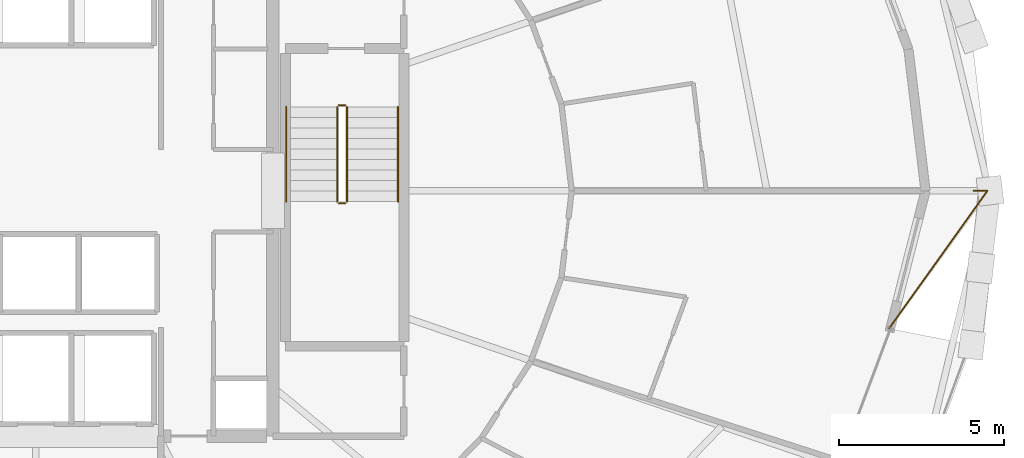
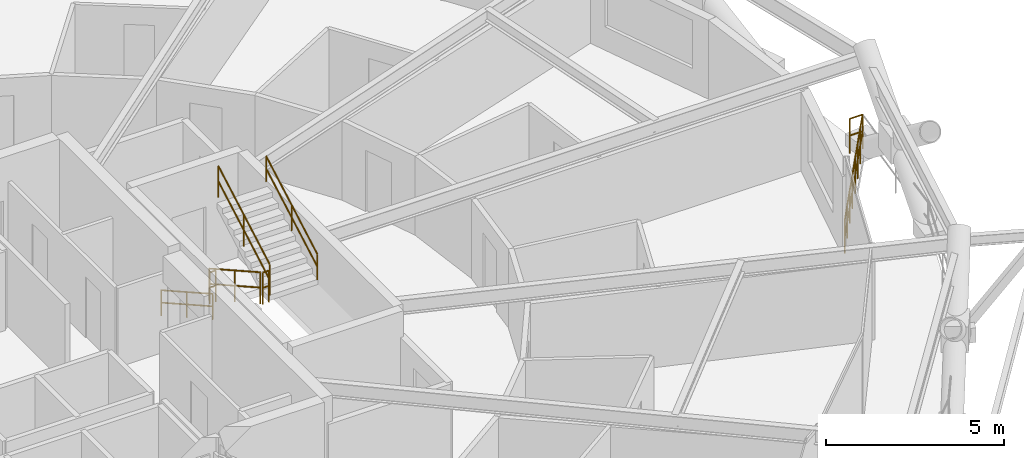
# One storey, part 20 of 20: 7 railings.
"""IFC4 building model written with IfcOpenShell, lengths in metres."""

import ifcopenshell
import ifcopenshell.guid

model = None  # the IFC model being written
_history = None  # IfcOwnerHistory: only IFC2X3 demands one
_inside = {}  # id of a spatial element -> (the spatial element, [elements in it])
_under = {}  # id of a project, library or spatial element -> (it, [spatial elements below it])
_declared = {}  # id of a project -> (the project, [libraries it declares])
_typed = {}  # id of a type object -> (the type object, [elements of that type])
_made_of = {}  # id of a material, layer set ... -> (it, [elements and type objects made of it])


def new_model(schema):
    """Start an empty IFC model of exactly this schema.

    Asked for "IFC4X3", IfcOpenShell would pick the latest addendum, in which some entities
    have other attributes; the version numbers below select the first issue.
    IFC2X3 requires an IfcOwnerHistory on every rooted entity: one is made here for all.
    """
    global model, _history
    if schema == "IFC4X3":
        model = ifcopenshell.file(schema_version=(4, 3, 0, 0))
    else:
        model = ifcopenshell.file(schema=schema)
    _inside.clear()
    _under.clear()
    _declared.clear()
    _typed.clear()
    _made_of.clear()
    _history = None
    if model.schema == "IFC2X3":
        org = make("IfcOrganization", Name="unknown")
        user = make(
            "IfcPersonAndOrganization",
            ThePerson=make("IfcPerson", FamilyName="unknown"),
            TheOrganization=org,
        )
        app = make(
            "IfcApplication",
            ApplicationDeveloper=org,
            Version="unknown",
            ApplicationFullName="unknown",
            ApplicationIdentifier="unknown",
        )
        _history = make(
            "IfcOwnerHistory",
            OwningUser=user,
            OwningApplication=app,
            ChangeAction="ADDED",
            CreationDate=0,
        )
    return model


def make(cls, **values):
    """One entity of the class cls with the attributes given. An attribute that is None is left unset."""
    return model.create_entity(
        cls, **{name: value for name, value in values.items() if value is not None}
    )


def rooted(cls, **values):
    """An entity with a GlobalId (a new one), such as an element, a storey or a relation."""
    return make(cls, GlobalId=ifcopenshell.guid.new(), OwnerHistory=_history, **values)


def si_unit(unit_type, name, prefix=None):
    """IfcSIUnit, for example si_unit("LENGTHUNIT", "METRE", prefix="MILLI")."""
    return make("IfcSIUnit", UnitType=unit_type, Prefix=prefix, Name=name)


def assignment(units):
    """IfcUnitAssignment: the units of a project."""
    return None if units is None else make("IfcUnitAssignment", Units=units)


def point(xyz):
    """IfcCartesianPoint."""
    return None if xyz is None else make("IfcCartesianPoint", Coordinates=xyz)


def direction(xyz):
    """IfcDirection."""
    return None if xyz is None else make("IfcDirection", DirectionRatios=xyz)


def frame(location, z_axis=None, x_axis=None):
    """IfcAxis2Placement3D, a coordinate frame: its origin and axes. An axis left out is left unset."""
    return make(
        "IfcAxis2Placement3D",
        Location=point(location),
        Axis=direction(z_axis),
        RefDirection=direction(x_axis),
    )


def frame_2d(location, x_axis=None):
    """IfcAxis2Placement2D, a coordinate frame in the plane: its origin and x axis."""
    return make(
        "IfcAxis2Placement2D", Location=point(location), RefDirection=direction(x_axis)
    )


def origin():
    """The frame at (0, 0, 0) with its axes left unset."""
    return frame((0.0, 0.0, 0.0))


def origin_2d():
    """The frame at (0, 0) in the plane with its x axis left unset."""
    return frame_2d((0.0, 0.0))


def place(relative_to, where):
    """IfcLocalPlacement: puts the frame where relative to a parent placement (None: the world)."""
    return make(
        "IfcLocalPlacement", PlacementRelTo=relative_to, RelativePlacement=where
    )


def context(
    kind, dimensions, precision=None, world=None, true_north=None, identifier=None
):
    """IfcGeometricRepresentationContext, for example the 3D "Model" context."""
    return make(
        "IfcGeometricRepresentationContext",
        ContextIdentifier=identifier,
        ContextType=kind,
        CoordinateSpaceDimension=dimensions,
        Precision=precision,
        WorldCoordinateSystem=world,
        TrueNorth=true_north,
    )


def subcontext(parent, identifier, kind, view, scale=None):
    """IfcGeometricRepresentationSubContext, for example "Body" below "Model"."""
    return make(
        "IfcGeometricRepresentationSubContext",
        ContextIdentifier=identifier,
        ContextType=kind,
        ParentContext=parent,
        TargetScale=scale,
        TargetView=view,
    )


def project(units=None, contexts=None):
    """IfcProject with its units and contexts."""
    return rooted(
        "IfcProject",
        Name="project",
        RepresentationContexts=contexts,
        UnitsInContext=assignment(units),
    )


def spatial(cls, under=None, at=None, **own):
    """A site, building, storey or space (cls), placed at a placement, below another one or the project."""
    s = rooted(cls, ObjectPlacement=at, **own)
    if under is not None:
        _under.setdefault(under.id(), (under, []))[1].append(s)
    return s


def profile(cls, at=None, kind="AREA", **sizes):
    """A parametric profile (cls). Its sizes go by their IFC names, for example OverallWidth=200.0."""
    return make(cls, ProfileType=kind, Position=at, **sizes)


def circle(**sizes):
    """IfcCircleProfileDef."""
    return profile("IfcCircleProfileDef", **sizes)


def extrude(swept, where, along, depth):
    """IfcExtrudedAreaSolid: the profile swept, set in the frame where, extruded along a direction by depth."""
    return make(
        "IfcExtrudedAreaSolid",
        SweptArea=swept,
        Position=where,
        ExtrudedDirection=direction(along),
        Depth=depth,
    )


def shape(context_of_items, identifier, shape_type, items):
    """IfcShapeRepresentation: the items that make up one representation, for example the "Body"."""
    return make(
        "IfcShapeRepresentation",
        ContextOfItems=context_of_items,
        RepresentationIdentifier=identifier,
        RepresentationType=shape_type,
        Items=items,
    )


def material(Name=None, Category=None):
    """IfcMaterial."""
    return make("IfcMaterial", Name=Name, Category=Category)


def made_of(thing, what):
    """Note that an element or type object is made of a material, layer set ...; save() writes the relation."""
    if what is not None:
        _made_of.setdefault(what.id(), (what, []))[1].append(thing)
    return thing


def type_object(cls, material=None, **own):
    """A type object (cls), such as IfcWallType, which elements share."""
    return made_of(rooted(cls, **own), material)


def element(
    cls,
    number,
    at=None,
    inside=None,
    cuts=None,
    type_object=None,
    material=None,
    context=None,
    identifier="Body",
    shape_type=None,
    held_by="IfcProductDefinitionShape",
    body=None,
    shapes=None,
    **own,
):
    """One element of the class cls, such as IfcWall. Its Tag is "e" and its number.

    at: its placement. inside: the storey or other place that contains it. cuts: it is an
    opening in that element (IfcRelVoidsElement). A single representation is given by context,
    identifier, shape_type and body (its items); several are given by shapes. held_by: the class
    of the entity that holds the representations. save() writes the other relations.
    """
    e = rooted(cls, Tag="e%d" % number, ObjectPlacement=at, **own)
    if body is not None:
        shapes = [shape(context, identifier, shape_type, body)]
    if shapes is not None:
        e.Representation = make(held_by, Representations=shapes)
    if inside is not None:
        _inside.setdefault(inside.id(), (inside, []))[1].append(e)
    if cuts is not None:
        rooted(
            "IfcRelVoidsElement", RelatingBuildingElement=cuts, RelatedOpeningElement=e
        )
    if type_object is not None:
        _typed.setdefault(type_object.id(), (type_object, []))[1].append(e)
    return made_of(e, material)


def aggregate(whole, parts):
    """IfcRelAggregates: a whole, such as a stair, and the parts it consists of."""
    return rooted("IfcRelAggregates", RelatingObject=whole, RelatedObjects=parts)


def save(model, path):
    """Write the relations noted so far, then the file.

    IfcRelAggregates (storeys below a building ...), IfcRelContainedInSpatialStructure (elements
    in a storey), IfcRelDefinesByType, IfcRelAssociatesMaterial and IfcRelDeclares: one each for
    every whole, place, type object, material and project.
    """
    for whole, parts in _under.values():
        aggregate(whole, parts)
    for where, things in _inside.values():
        rooted(
            "IfcRelContainedInSpatialStructure",
            RelatedElements=things,
            RelatingStructure=where,
        )
    for kind, things in _typed.values():
        rooted("IfcRelDefinesByType", RelatedObjects=things, RelatingType=kind)
    for what, things in _made_of.values():
        rooted("IfcRelAssociatesMaterial", RelatedObjects=things, RelatingMaterial=what)
    for by, libraries in _declared.values():
        rooted("IfcRelDeclares", RelatingContext=by, RelatedDefinitions=libraries)
    model.write(path)


model = new_model("IFC4")

# Units and contexts
model_context = context("Model", 3, precision=1e-05, world=origin(), true_north=direction((0.0, 1.0)))
body_context = subcontext(model_context, "Body", "Model", "MODEL_VIEW")
ifc_project = project(units=[si_unit("LENGTHUNIT", "METRE"), si_unit("AREAUNIT", "SQUARE_METRE"), si_unit("VOLUMEUNIT", "CUBIC_METRE"), si_unit("PLANEANGLEUNIT", "RADIAN"), si_unit("MASSUNIT", "GRAM", prefix="KILO")], contexts=[model_context])

# Site, building, storey
site_placement = place(None, origin())
site = spatial("IfcSite", under=ifc_project, at=site_placement, CompositionType="ELEMENT")
building_placement = place(site_placement, origin())
building = spatial("IfcBuilding", under=site, at=building_placement, Name="Veldorina Hangang Commons", CompositionType="ELEMENT")
storey_placement = place(building_placement, frame((0.0, 0.0, 84.39990234375)))
storey = spatial("IfcBuildingStorey", under=building, at=storey_placement, Name="L21", CompositionType="ELEMENT", Elevation=84.39990234375)

# Railings
ifc_material_1 = material(Name="Glass Laminated Safety Balustrade", Category="glass")
railing_type_1 = type_object("IfcRailingType", Name="RL-BAL-LOGGIA", PredefinedType="BALUSTRADE", material=ifc_material_1)
railing_1_placement = place(storey_placement, frame((60.47900390625, 24.0, 0.0)))
element("IfcRailing", 1, at=railing_1_placement, inside=storey, type_object=railing_type_1, Name="L21 sky-garden loggia end balustrade B", PredefinedType="BALUSTRADE", context=body_context, shape_type="SweptSolid", body=[
    extrude(circle(Radius=0.02392578125, at=origin_2d()), frame((0.0, 0.0, 1.17578125), z_axis=(1.0, 0.0, 0.0), x_axis=(0.0, 1.0, 0.0)), (0.0, 0.0, 1.0), 0.419921875),
    extrude(circle(Radius=0.02392578125, at=origin_2d()), frame((0.0, 0.0, 0.60009765625), z_axis=(1.0, 0.0, 0.0), x_axis=(0.0, 1.0, 0.0)), (0.0, 0.0, 1.0), 0.419921875),
    extrude(circle(Radius=0.02392578125, at=origin_2d()), frame((0.419921875, 0.0, 1.17578125), z_axis=(-0.581377493113, -0.813633953631, 0.0), x_axis=(0.813633953631, -0.581377493113, 0.0)), (0.0, 0.0, 1.0), 5.13916015625),
    extrude(circle(Radius=0.02392578125, at=origin_2d()), frame((0.419921875, 0.0, 0.60009765625), z_axis=(-0.581377493113, -0.813633953631, 0.0), x_axis=(0.813633953631, -0.581377493113, 0.0)), (0.0, 0.0, 1.0), 5.13916015625),
    extrude(circle(Radius=0.02099609375, at=origin_2d()), origin(), (0.0, 0.0, 1.0), 1.15185546875),
    extrude(circle(Radius=0.02099609375, at=origin_2d()), frame((0.419921875, 0.0, 0.0)), (0.0, 0.0, 1.0), 1.15185546875),
    extrude(circle(Radius=0.02099609375, at=origin_2d()), frame((-0.0068359375, -0.597412109375, 0.0)), (0.0, 0.0, 1.0), 1.15185546875),
    extrude(circle(Radius=0.02099609375, at=origin_2d()), frame((-0.433837890625, -1.194580078125, 0.0)), (0.0, 0.0, 1.0), 1.15185546875),
    extrude(circle(Radius=0.02099609375, at=origin_2d()), frame((-0.860595703125, -1.7919921875, 0.0)), (0.0, 0.0, 1.0), 1.15185546875),
    extrude(circle(Radius=0.02099609375, at=origin_2d()), frame((-1.287353515625, -2.389404296875, 0.0)), (0.0, 0.0, 1.0), 1.15185546875),
    extrude(circle(Radius=0.02099609375, at=origin_2d()), frame((-1.714111328125, -2.98681640625, 0.0)), (0.0, 0.0, 1.0), 1.15185546875),
    extrude(circle(Radius=0.02099609375, at=origin_2d()), frame((-2.14111328125, -3.583984375, 0.0)), (0.0, 0.0, 1.0), 1.15185546875),
    extrude(circle(Radius=0.02099609375, at=origin_2d()), frame((-2.56787109375, -4.181396484375, 0.0)), (0.0, 0.0, 1.0), 1.15185546875),
])
ifc_material_2 = material(Name="Steel Painted Balustrade", Category="steel")
railing_type_2 = type_object("IfcRailingType", Name="RL-GRD-STAIR", PredefinedType="GUARDRAIL", material=ifc_material_2)
railing_2_placement = place(storey_placement, frame((41.14990234375, 26.550048828125, 0.18017578125)))
element("IfcRailing", 2, at=railing_2_placement, inside=storey, type_object=railing_type_2, Name="L21 ST-2 stair guard 1", PredefinedType="GUARDRAIL", context=body_context, shape_type="SweptSolid", body=[
    extrude(circle(Radius=0.02392578125, at=origin_2d()), frame((0.0, 0.0, 1.076171875), z_axis=(0.0, -0.871601186807, 0.490215637405), x_axis=(1.0, 0.0, 0.0)), (0.0, 0.0, 1.0), 3.304443359375),
    extrude(circle(Radius=0.02392578125, at=origin_2d()), frame((0.0, 0.0, 0.550048828125), z_axis=(0.0, -0.871601186807, 0.490215637405), x_axis=(1.0, 0.0, 0.0)), (0.0, 0.0, 1.0), 3.304443359375),
    extrude(circle(Radius=0.02099609375, at=origin_2d()), origin(), (0.0, 0.0, 1.0), 1.052001953125),
    extrude(circle(Radius=0.02099609375, at=origin_2d()), frame((0.0, -1.43994140625, 0.81005859375)), (0.0, 0.0, 1.0), 1.052001953125),
    extrude(circle(Radius=0.02099609375, at=origin_2d()), frame((0.0, -2.880126953125, 1.619873046875)), (0.0, 0.0, 1.0), 1.052001953125),
])
railing_3_placement = place(storey_placement, frame((41.199951171875, 23.6201171875, 1.800048828125)))
element("IfcRailing", 3, at=railing_3_placement, inside=storey, type_object=railing_type_2, Name="L21 ST-2 stair guard 2", PredefinedType="GUARDRAIL", context=body_context, shape_type="SweptSolid", body=[
    extrude(circle(Radius=0.02392578125, at=origin_2d()), frame((0.0, 0.0, 1.076171875), z_axis=(1.0, 0.0, 0.0), x_axis=(0.0, 1.0, 0.0)), (0.0, 0.0, 1.0), 0.199951171875),
    extrude(circle(Radius=0.02392578125, at=origin_2d()), frame((0.0, 0.0, 0.550048828125), z_axis=(1.0, 0.0, 0.0), x_axis=(0.0, 1.0, 0.0)), (0.0, 0.0, 1.0), 0.199951171875),
    extrude(circle(Radius=0.02099609375, at=origin_2d()), origin(), (0.0, 0.0, 1.0), 1.052001953125),
    extrude(circle(Radius=0.02099609375, at=origin_2d()), frame((0.199951171875, 0.0, 0.0)), (0.0, 0.0, 1.0), 1.052001953125),
])
railing_4_placement = place(storey_placement, frame((41.449951171875, 23.669921875, 1.97998046875)))
element("IfcRailing", 4, at=railing_4_placement, inside=storey, type_object=railing_type_2, Name="L21 ST-2 stair guard 3", PredefinedType="GUARDRAIL", context=body_context, shape_type="SweptSolid", body=[
    extrude(circle(Radius=0.02392578125, at=origin_2d()), frame((0.0, 0.0, 1.076171875), z_axis=(0.0, 0.871569617843, 0.490271762652), x_axis=(-1.0, 0.0, 0.0)), (0.0, 0.0, 1.0), 3.304443359375),
    extrude(circle(Radius=0.02392578125, at=origin_2d()), frame((0.0, 0.0, 0.550048828125), z_axis=(0.0, 0.871569617843, 0.490271762652), x_axis=(-1.0, 0.0, 0.0)), (0.0, 0.0, 1.0), 3.304443359375),
    extrude(circle(Radius=0.02099609375, at=origin_2d()), origin(), (0.0, 0.0, 1.0), 1.052001953125),
    extrude(circle(Radius=0.02099609375, at=origin_2d()), frame((0.0, 1.43994140625, 0.81005859375)), (0.0, 0.0, 1.0), 1.052001953125),
    extrude(circle(Radius=0.02099609375, at=origin_2d()), frame((0.0, 2.880126953125, 1.6201171875)), (0.0, 0.0, 1.0), 1.052001953125),
])
railing_5_placement = place(storey_placement, frame((41.199951171875, 26.60009765625, 0.0)))
element("IfcRailing", 5, at=railing_5_placement, inside=storey, type_object=railing_type_2, Name="L21 ST-2 stair guard 4", PredefinedType="GUARDRAIL", context=body_context, shape_type="SweptSolid", body=[
    extrude(circle(Radius=0.02392578125, at=origin_2d()), frame((0.0, 0.0, 1.076171875), z_axis=(1.0, 0.0, 0.0), x_axis=(0.0, 1.0, 0.0)), (0.0, 0.0, 1.0), 0.199951171875),
    extrude(circle(Radius=0.02392578125, at=origin_2d()), frame((0.0, 0.0, 0.550048828125), z_axis=(1.0, 0.0, 0.0), x_axis=(0.0, 1.0, 0.0)), (0.0, 0.0, 1.0), 0.199951171875),
    extrude(circle(Radius=0.02099609375, at=origin_2d()), origin(), (0.0, 0.0, 1.0), 1.052001953125),
    extrude(circle(Radius=0.02099609375, at=origin_2d()), frame((0.199951171875, 0.0, 0.0)), (0.0, 0.0, 1.0), 1.052001953125),
])
ifc_material_3 = material(Name="Stainless Steel Brushed 316", Category="steel")
railing_type_3 = type_object("IfcRailingType", Name="RL-HND-STAIR", PredefinedType="HANDRAIL", material=ifc_material_3)
railing_6_placement = place(storey_placement, frame((39.60009765625, 26.550048828125, 0.18017578125)))
element("IfcRailing", 6, at=railing_6_placement, inside=storey, type_object=railing_type_3, Name="L21 ST-2 stair handrail 1", PredefinedType="HANDRAIL", context=body_context, shape_type="SweptSolid", body=[
    extrude(circle(Radius=0.02392578125, at=origin_2d()), frame((0.0, 0.0, 0.8759765625), z_axis=(0.0, -0.871601186807, 0.490215637405), x_axis=(1.0, 0.0, 0.0)), (0.0, 0.0, 1.0), 3.304443359375),
    extrude(circle(Radius=0.02392578125, at=origin_2d()), frame((0.0, 0.0, 0.449951171875), z_axis=(0.0, -0.871601186807, 0.490215637405), x_axis=(1.0, 0.0, 0.0)), (0.0, 0.0, 1.0), 3.304443359375),
    extrude(circle(Radius=0.02099609375, at=origin_2d()), origin(), (0.0, 0.0, 1.0), 0.851806640625),
    extrude(circle(Radius=0.02099609375, at=origin_2d()), frame((0.0, -1.43994140625, 0.81005859375)), (0.0, 0.0, 1.0), 0.851806640625),
    extrude(circle(Radius=0.02099609375, at=origin_2d()), frame((0.0, -2.880126953125, 1.619873046875)), (0.0, 0.0, 1.0), 0.851806640625),
])
railing_7_placement = place(storey_placement, frame((43.0, 23.669921875, 1.97998046875)))
element("IfcRailing", 7, at=railing_7_placement, inside=storey, type_object=railing_type_3, Name="L21 ST-2 stair handrail 2", PredefinedType="HANDRAIL", context=body_context, shape_type="SweptSolid", body=[
    extrude(circle(Radius=0.02392578125, at=origin_2d()), frame((0.0, 0.0, 0.8759765625), z_axis=(0.0, 0.871569617843, 0.490271762652), x_axis=(-1.0, 0.0, 0.0)), (0.0, 0.0, 1.0), 3.304443359375),
    extrude(circle(Radius=0.02392578125, at=origin_2d()), frame((0.0, 0.0, 0.449951171875), z_axis=(0.0, 0.871569617843, 0.490271762652), x_axis=(-1.0, 0.0, 0.0)), (0.0, 0.0, 1.0), 3.304443359375),
    extrude(circle(Radius=0.02099609375, at=origin_2d()), origin(), (0.0, 0.0, 1.0), 0.851806640625),
    extrude(circle(Radius=0.02099609375, at=origin_2d()), frame((0.0, 1.43994140625, 0.81005859375)), (0.0, 0.0, 1.0), 0.851806640625),
    extrude(circle(Radius=0.02099609375, at=origin_2d()), frame((0.0, 2.880126953125, 1.6201171875)), (0.0, 0.0, 1.0), 0.851806640625),
])

save(model, "model.ifc")
